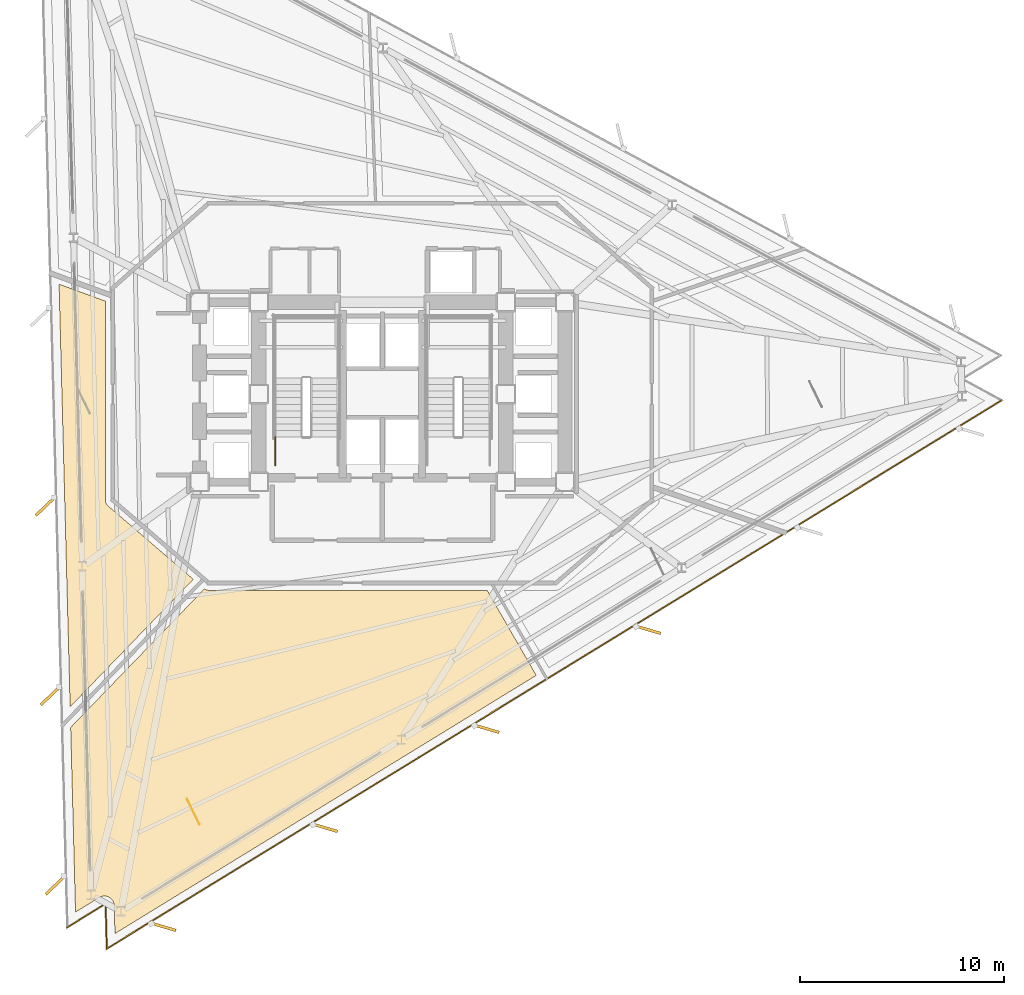
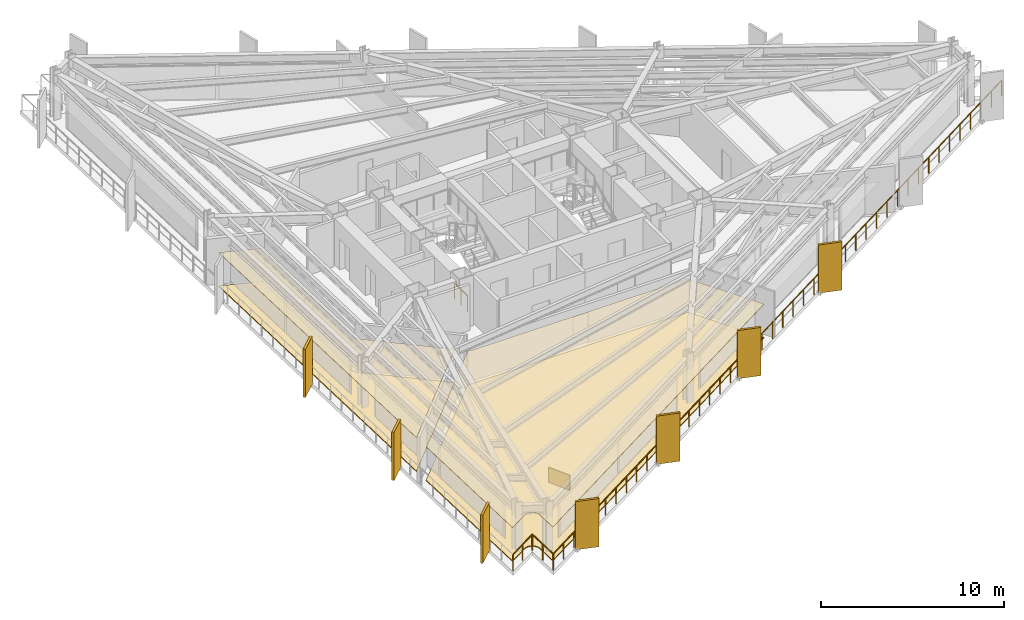
# One storey, part 10 of 14: 7 shading devices, 5 coverings, 2 railings.
"""IFC4 building model written with IfcOpenShell, lengths in metres."""

import ifcopenshell
import ifcopenshell.guid

model = None  # the IFC model being written
_history = None  # IfcOwnerHistory: only IFC2X3 demands one
_inside = {}  # id of a spatial element -> (the spatial element, [elements in it])
_under = {}  # id of a project, library or spatial element -> (it, [spatial elements below it])
_declared = {}  # id of a project -> (the project, [libraries it declares])
_typed = {}  # id of a type object -> (the type object, [elements of that type])
_made_of = {}  # id of a material, layer set ... -> (it, [elements and type objects made of it])


def new_model(schema):
    """Start an empty IFC model of exactly this schema.

    Asked for "IFC4X3", IfcOpenShell would pick the latest addendum, in which some entities
    have other attributes; the version numbers below select the first issue.
    IFC2X3 requires an IfcOwnerHistory on every rooted entity: one is made here for all.
    """
    global model, _history
    if schema == "IFC4X3":
        model = ifcopenshell.file(schema_version=(4, 3, 0, 0))
    else:
        model = ifcopenshell.file(schema=schema)
    _inside.clear()
    _under.clear()
    _declared.clear()
    _typed.clear()
    _made_of.clear()
    _history = None
    if model.schema == "IFC2X3":
        org = make("IfcOrganization", Name="unknown")
        user = make(
            "IfcPersonAndOrganization",
            ThePerson=make("IfcPerson", FamilyName="unknown"),
            TheOrganization=org,
        )
        app = make(
            "IfcApplication",
            ApplicationDeveloper=org,
            Version="unknown",
            ApplicationFullName="unknown",
            ApplicationIdentifier="unknown",
        )
        _history = make(
            "IfcOwnerHistory",
            OwningUser=user,
            OwningApplication=app,
            ChangeAction="ADDED",
            CreationDate=0,
        )
    return model


def make(cls, **values):
    """One entity of the class cls with the attributes given. An attribute that is None is left unset."""
    return model.create_entity(
        cls, **{name: value for name, value in values.items() if value is not None}
    )


def rooted(cls, **values):
    """An entity with a GlobalId (a new one), such as an element, a storey or a relation."""
    return make(cls, GlobalId=ifcopenshell.guid.new(), OwnerHistory=_history, **values)


def si_unit(unit_type, name, prefix=None):
    """IfcSIUnit, for example si_unit("LENGTHUNIT", "METRE", prefix="MILLI")."""
    return make("IfcSIUnit", UnitType=unit_type, Prefix=prefix, Name=name)


def assignment(units):
    """IfcUnitAssignment: the units of a project."""
    return None if units is None else make("IfcUnitAssignment", Units=units)


def point(xyz):
    """IfcCartesianPoint."""
    return None if xyz is None else make("IfcCartesianPoint", Coordinates=xyz)


def direction(xyz):
    """IfcDirection."""
    return None if xyz is None else make("IfcDirection", DirectionRatios=xyz)


def frame(location, z_axis=None, x_axis=None):
    """IfcAxis2Placement3D, a coordinate frame: its origin and axes. An axis left out is left unset."""
    return make(
        "IfcAxis2Placement3D",
        Location=point(location),
        Axis=direction(z_axis),
        RefDirection=direction(x_axis),
    )


def frame_2d(location, x_axis=None):
    """IfcAxis2Placement2D, a coordinate frame in the plane: its origin and x axis."""
    return make(
        "IfcAxis2Placement2D", Location=point(location), RefDirection=direction(x_axis)
    )


def origin():
    """The frame at (0, 0, 0) with its axes left unset."""
    return frame((0.0, 0.0, 0.0))


def origin_2d():
    """The frame at (0, 0) in the plane with its x axis left unset."""
    return frame_2d((0.0, 0.0))


def place(relative_to, where):
    """IfcLocalPlacement: puts the frame where relative to a parent placement (None: the world)."""
    return make(
        "IfcLocalPlacement", PlacementRelTo=relative_to, RelativePlacement=where
    )


def context(
    kind, dimensions, precision=None, world=None, true_north=None, identifier=None
):
    """IfcGeometricRepresentationContext, for example the 3D "Model" context."""
    return make(
        "IfcGeometricRepresentationContext",
        ContextIdentifier=identifier,
        ContextType=kind,
        CoordinateSpaceDimension=dimensions,
        Precision=precision,
        WorldCoordinateSystem=world,
        TrueNorth=true_north,
    )


def subcontext(parent, identifier, kind, view, scale=None):
    """IfcGeometricRepresentationSubContext, for example "Body" below "Model"."""
    return make(
        "IfcGeometricRepresentationSubContext",
        ContextIdentifier=identifier,
        ContextType=kind,
        ParentContext=parent,
        TargetScale=scale,
        TargetView=view,
    )


def project(units=None, contexts=None):
    """IfcProject with its units and contexts."""
    return rooted(
        "IfcProject",
        Name="project",
        RepresentationContexts=contexts,
        UnitsInContext=assignment(units),
    )


def spatial(cls, under=None, at=None, **own):
    """A site, building, storey or space (cls), placed at a placement, below another one or the project."""
    s = rooted(cls, ObjectPlacement=at, **own)
    if under is not None:
        _under.setdefault(under.id(), (under, []))[1].append(s)
    return s


def polyline(points):
    """IfcPolyline through the points."""
    return make("IfcPolyline", Points=[point(p) for p in points])


def profile(cls, at=None, kind="AREA", **sizes):
    """A parametric profile (cls). Its sizes go by their IFC names, for example OverallWidth=200.0."""
    return make(cls, ProfileType=kind, Position=at, **sizes)


def rectangle(**sizes):
    """IfcRectangleProfileDef."""
    return profile("IfcRectangleProfileDef", **sizes)


def outline(outer, holes=None, kind="AREA"):
    """IfcArbitraryClosedProfileDef: a profile drawn as a closed curve; with holes, ...WithVoids."""
    if holes is None:
        return make("IfcArbitraryClosedProfileDef", ProfileType=kind, OuterCurve=outer)
    return make(
        "IfcArbitraryProfileDefWithVoids",
        ProfileType=kind,
        OuterCurve=outer,
        InnerCurves=holes,
    )


def extrude(swept, where, along, depth):
    """IfcExtrudedAreaSolid: the profile swept, set in the frame where, extruded along a direction by depth."""
    return make(
        "IfcExtrudedAreaSolid",
        SweptArea=swept,
        Position=where,
        ExtrudedDirection=direction(along),
        Depth=depth,
    )


def shape(context_of_items, identifier, shape_type, items):
    """IfcShapeRepresentation: the items that make up one representation, for example the "Body"."""
    return make(
        "IfcShapeRepresentation",
        ContextOfItems=context_of_items,
        RepresentationIdentifier=identifier,
        RepresentationType=shape_type,
        Items=items,
    )


def material(Name=None, Category=None):
    """IfcMaterial."""
    return make("IfcMaterial", Name=Name, Category=Category)


def layer(
    of_material, thickness, ventilated=None, Name=None, Category=None, Priority=None
):
    """IfcMaterialLayer: one layer of a wall or slab, of a material (None: an air gap)."""
    return make(
        "IfcMaterialLayer",
        Material=of_material,
        LayerThickness=thickness,
        IsVentilated=ventilated,
        Name=Name,
        Category=Category,
        Priority=Priority,
    )


def layer_set(layers, Name=None):
    """IfcMaterialLayerSet."""
    return make("IfcMaterialLayerSet", MaterialLayers=layers, LayerSetName=Name)


def made_of(thing, what):
    """Note that an element or type object is made of a material, layer set ...; save() writes the relation."""
    if what is not None:
        _made_of.setdefault(what.id(), (what, []))[1].append(thing)
    return thing


def type_object(cls, material=None, **own):
    """A type object (cls), such as IfcWallType, which elements share."""
    return made_of(rooted(cls, **own), material)


def element(
    cls,
    number,
    at=None,
    inside=None,
    cuts=None,
    type_object=None,
    material=None,
    context=None,
    identifier="Body",
    shape_type=None,
    held_by="IfcProductDefinitionShape",
    body=None,
    shapes=None,
    **own,
):
    """One element of the class cls, such as IfcWall. Its Tag is "e" and its number.

    at: its placement. inside: the storey or other place that contains it. cuts: it is an
    opening in that element (IfcRelVoidsElement). A single representation is given by context,
    identifier, shape_type and body (its items); several are given by shapes. held_by: the class
    of the entity that holds the representations. save() writes the other relations.
    """
    e = rooted(cls, Tag="e%d" % number, ObjectPlacement=at, **own)
    if body is not None:
        shapes = [shape(context, identifier, shape_type, body)]
    if shapes is not None:
        e.Representation = make(held_by, Representations=shapes)
    if inside is not None:
        _inside.setdefault(inside.id(), (inside, []))[1].append(e)
    if cuts is not None:
        rooted(
            "IfcRelVoidsElement", RelatingBuildingElement=cuts, RelatedOpeningElement=e
        )
    if type_object is not None:
        _typed.setdefault(type_object.id(), (type_object, []))[1].append(e)
    return made_of(e, material)


def aggregate(whole, parts):
    """IfcRelAggregates: a whole, such as a stair, and the parts it consists of."""
    return rooted("IfcRelAggregates", RelatingObject=whole, RelatedObjects=parts)


def save(model, path):
    """Write the relations noted so far, then the file.

    IfcRelAggregates (storeys below a building ...), IfcRelContainedInSpatialStructure (elements
    in a storey), IfcRelDefinesByType, IfcRelAssociatesMaterial and IfcRelDeclares: one each for
    every whole, place, type object, material and project.
    """
    for whole, parts in _under.values():
        aggregate(whole, parts)
    for where, things in _inside.values():
        rooted(
            "IfcRelContainedInSpatialStructure",
            RelatedElements=things,
            RelatingStructure=where,
        )
    for kind, things in _typed.values():
        rooted("IfcRelDefinesByType", RelatedObjects=things, RelatingType=kind)
    for what, things in _made_of.values():
        rooted("IfcRelAssociatesMaterial", RelatedObjects=things, RelatingMaterial=what)
    for by, libraries in _declared.values():
        rooted("IfcRelDeclares", RelatingContext=by, RelatedDefinitions=libraries)
    model.write(path)


model = new_model("IFC4")

# Units and contexts
model_context = context("Model", 3, precision=1e-05, world=origin(), true_north=direction((0.0, 1.0)))
body_context = subcontext(model_context, "Body", "Model", "MODEL_VIEW")
ifc_project = project(units=[si_unit("LENGTHUNIT", "METRE"), si_unit("AREAUNIT", "SQUARE_METRE"), si_unit("VOLUMEUNIT", "CUBIC_METRE"), si_unit("PLANEANGLEUNIT", "RADIAN"), si_unit("MASSUNIT", "GRAM", prefix="KILO")], contexts=[model_context])

# Site, building, storey
site_placement = place(None, origin())
site = spatial("IfcSite", under=ifc_project, at=site_placement, CompositionType="ELEMENT")
building_placement = place(site_placement, origin())
building = spatial("IfcBuilding", under=site, at=building_placement, Name="Rocaltana Carrier Exchange", CompositionType="ELEMENT")
storey_placement = place(building_placement, frame((0.0, 0.0, 39.0400390625)))
storey = spatial("IfcBuildingStorey", under=building, at=storey_placement, Name="L12", CompositionType="ELEMENT", Elevation=39.0400390625)

# Coverings
ifc_material_1 = material(Name="Calcium Sulphate & Aluminium Pedestal", Category="aluminium")
ifc_layer_1 = layer(ifc_material_1, 0.06005859375)
ifc_layer_set_1 = layer_set([ifc_layer_1], Name="Calcium Sulphate & Aluminium Pedestal")
covering_type_1 = type_object("IfcCoveringType", Name="Anti-Static Raised Exchange Access Floor 60", PredefinedType="FLOORING", material=ifc_layer_set_1)
covering_1_placement = place(storey_placement, origin())
element("IfcCovering", 1, at=covering_1_placement, inside=storey, type_object=covering_type_1, Name="L12 Quiet Focus Lounge Finish Floor", PredefinedType="FLOORING", context=body_context, shape_type="SweptSolid", body=[
    extrude(outline(polyline([(-15.83203125, 5.37939453125), (-13.56005859375, 4.55224609375), (-13.56005859375, -5.199951171875), (-13.559814453125, -5.21337890625), (-13.559326171875, -5.220947265625), (-13.556884765625, -5.24755859375), (-13.5556640625, -5.255126953125), (-13.550537109375, -5.281494140625), (-13.548828125, -5.288818359375), (-13.541259765625, -5.314453125), (-13.538818359375, -5.32177734375), (-13.52880859375, -5.346435546875), (-13.525634765625, -5.353515625), (-13.51318359375, -5.377197265625), (-13.509521484375, -5.3837890625), (-13.4951171875, -5.40625), (-13.490478515625, -5.41259765625), (-13.47412109375, -5.433349609375), (-13.468994140625, -5.439208984375), (-13.450439453125, -5.45849609375), (-13.44482421875, -5.4638671875), (-13.43505859375, -5.47265625), (-9.259765625, -9.070556640625), (-15.2900390625, -15.315185546875), (-15.83203125, 5.37939453125)])), origin(), (0.0, 0.0, 1.0), 0.06005859375),
])
covering_2_placement = place(storey_placement, origin())
element("IfcCovering", 2, at=covering_2_placement, inside=storey, type_object=covering_type_1, Name="L12 Quiet Focus Lounge Finish Floor", PredefinedType="FLOORING", context=body_context, shape_type="SweptSolid", body=[
    extrude(outline(polyline([(-13.12939453125, -25.05224609375), (-13.1298828125, -25.038330078125), (-13.131591796875, -25.018310546875), (-13.135009765625, -24.99072265625), (-13.138427734375, -24.97119140625), (-13.144775390625, -24.94384765625), (-13.150146484375, -24.9248046875), (-13.1591796875, -24.898193359375), (-13.16650390625, -24.879638671875), (-13.177978515625, -24.854248046875), (-13.18701171875, -24.83642578125), (-13.200927734375, -24.8125), (-13.2119140625, -24.795654296875), (-13.228271484375, -24.77294921875), (-13.240478515625, -24.75732421875), (-13.259033203125, -24.736572265625), (-13.273193359375, -24.722412109375), (-13.29345703125, -24.703369140625), (-13.308837890625, -24.6904296875), (-13.3310546875, -24.673583984375), (-13.34765625, -24.66259765625), (-13.371337890625, -24.64794921875), (-13.388916015625, -24.638427734375), (-13.4140625, -24.626220703125), (-13.4326171875, -24.61865234375), (-13.458740234375, -24.609130859375), (-13.477783203125, -24.603271484375), (-13.5048828125, -24.596435546875), (-13.5244140625, -24.592529296875), (-13.552001953125, -24.58837890625), (-13.57177734375, -24.58642578125), (-13.599609375, -24.5849609375), (-13.61962890625, -24.585205078125), (-13.6474609375, -24.58642578125), (-13.66748046875, -24.58837890625), (-13.695068359375, -24.5927734375), (-13.714599609375, -24.5966796875), (-13.74169921875, -24.603515625), (-13.760498046875, -24.609619140625), (-13.786865234375, -24.619140625), (-13.80517578125, -24.626708984375), (-13.830322265625, -24.638916015625), (-13.847900390625, -24.6484375), (-13.85986328125, -24.655517578125), (-15.02685546875, -25.37060546875), (-15.263671875, -16.32421875), (-8.71240234375, -9.540283203125), (-8.6943359375, -9.552978515625), (-8.6875, -9.557373046875), (-8.66259765625, -9.571044921875), (-8.6552734375, -9.57470703125), (-8.629150390625, -9.5859375), (-8.62158203125, -9.5888671875), (-8.594482421875, -9.597412109375), (-8.58642578125, -9.599365234375), (-8.55859375, -9.60498046875), (-8.550537109375, -9.606201171875), (-8.522216796875, -9.609130859375), (-8.51416015625, -9.609619140625), (-8.5, -9.610107421875), (5.132568359375, -9.610107421875), (7.53857421875, -13.777099609375), (-13.093505859375, -26.42041015625), (-13.12939453125, -25.05224609375)])), origin(), (0.0, 0.0, 1.0), 0.06005859375),
])
ifc_material_2 = material(Name="Mineral Fibre & Powder-Coated Aluminium", Category="aluminium")
ifc_layer_2 = layer(ifc_material_2, 0.044921875)
ifc_layer_set_2 = layer_set([ifc_layer_2], Name="Mineral Fibre & Powder-Coated Aluminium")
covering_type_2 = type_object("IfcCoveringType", Name="Micro-Perforated Acoustic Ceiling 45", PredefinedType="CEILING", material=ifc_layer_set_2)
covering_3_placement = place(storey_placement, frame((0.0, 0.0, 2.242919921875)))
element("IfcCovering", 3, at=covering_3_placement, inside=storey, type_object=covering_type_2, Name="L12 Quiet Focus Lounge Acoustic Ceiling", PredefinedType="CEILING", context=body_context, shape_type="SweptSolid", body=[
    extrude(outline(polyline([(-15.83203125, 5.37939453125), (-13.56005859375, 4.55224609375), (-13.56005859375, -5.199951171875), (-13.559814453125, -5.21337890625), (-13.559326171875, -5.220947265625), (-13.556884765625, -5.24755859375), (-13.5556640625, -5.255126953125), (-13.550537109375, -5.281494140625), (-13.548828125, -5.288818359375), (-13.541259765625, -5.314453125), (-13.538818359375, -5.32177734375), (-13.52880859375, -5.346435546875), (-13.525634765625, -5.353515625), (-13.51318359375, -5.377197265625), (-13.509521484375, -5.3837890625), (-13.4951171875, -5.40625), (-13.490478515625, -5.41259765625), (-13.47412109375, -5.433349609375), (-13.468994140625, -5.439208984375), (-13.450439453125, -5.45849609375), (-13.44482421875, -5.4638671875), (-13.43505859375, -5.47265625), (-9.259765625, -9.070556640625), (-15.2900390625, -15.315185546875), (-15.83203125, 5.37939453125)])), origin(), (0.0, 0.0, 1.0), 0.044921875),
])
covering_4_placement = place(storey_placement, frame((0.0, 0.0, 2.242919921875)))
element("IfcCovering", 4, at=covering_4_placement, inside=storey, type_object=covering_type_2, Name="L12 Quiet Focus Lounge Acoustic Ceiling", PredefinedType="CEILING", context=body_context, shape_type="SweptSolid", body=[
    extrude(outline(polyline([(-13.12939453125, -25.05224609375), (-13.1298828125, -25.038330078125), (-13.131591796875, -25.018310546875), (-13.135009765625, -24.99072265625), (-13.138427734375, -24.97119140625), (-13.144775390625, -24.94384765625), (-13.150146484375, -24.9248046875), (-13.1591796875, -24.898193359375), (-13.16650390625, -24.879638671875), (-13.177978515625, -24.854248046875), (-13.18701171875, -24.83642578125), (-13.200927734375, -24.8125), (-13.2119140625, -24.795654296875), (-13.228271484375, -24.77294921875), (-13.240478515625, -24.75732421875), (-13.259033203125, -24.736572265625), (-13.273193359375, -24.722412109375), (-13.29345703125, -24.703369140625), (-13.308837890625, -24.6904296875), (-13.3310546875, -24.673583984375), (-13.34765625, -24.66259765625), (-13.371337890625, -24.64794921875), (-13.388916015625, -24.638427734375), (-13.4140625, -24.626220703125), (-13.4326171875, -24.61865234375), (-13.458740234375, -24.609130859375), (-13.477783203125, -24.603271484375), (-13.5048828125, -24.596435546875), (-13.5244140625, -24.592529296875), (-13.552001953125, -24.58837890625), (-13.57177734375, -24.58642578125), (-13.599609375, -24.5849609375), (-13.61962890625, -24.585205078125), (-13.6474609375, -24.58642578125), (-13.66748046875, -24.58837890625), (-13.695068359375, -24.5927734375), (-13.714599609375, -24.5966796875), (-13.74169921875, -24.603515625), (-13.760498046875, -24.609619140625), (-13.786865234375, -24.619140625), (-13.80517578125, -24.626708984375), (-13.830322265625, -24.638916015625), (-13.847900390625, -24.6484375), (-13.85986328125, -24.655517578125), (-15.02685546875, -25.37060546875), (-15.263671875, -16.32421875), (-8.71240234375, -9.540283203125), (-8.6943359375, -9.552978515625), (-8.6875, -9.557373046875), (-8.66259765625, -9.571044921875), (-8.6552734375, -9.57470703125), (-8.629150390625, -9.5859375), (-8.62158203125, -9.5888671875), (-8.594482421875, -9.597412109375), (-8.58642578125, -9.599365234375), (-8.55859375, -9.60498046875), (-8.550537109375, -9.606201171875), (-8.522216796875, -9.609130859375), (-8.51416015625, -9.609619140625), (-8.5, -9.610107421875), (5.132568359375, -9.610107421875), (7.53857421875, -13.777099609375), (-13.093505859375, -26.42041015625), (-13.12939453125, -25.05224609375)])), origin(), (0.0, 0.0, 1.0), 0.044921875),
])

# Railing
ifc_material_3 = material(Name="Powder-Coated Aluminium 6063-T6", Category="aluminium")
ifc_layer_3 = layer(ifc_material_3, 0.048095703125)
ifc_layer_set_3 = layer_set([ifc_layer_3], Name="Powder-Coated Aluminium 6063-T6")
railing_type_1 = type_object("IfcRailingType", Name="Stair Well Guardrail 1100", PredefinedType="GUARDRAIL", material=ifc_layer_set_3)
railing_1_placement = place(storey_placement, frame((-5.25, -3.5, 0.0)))
element("IfcRailing", 5, at=railing_1_placement, inside=storey, type_object=railing_type_1, Name="L12 ST-1 stair guard 9", PredefinedType="GUARDRAIL", context=body_context, shape_type="SweptSolid", body=[
    extrude(rectangle(XDim=0.048095703125, YDim=0.048095703125, at=origin_2d()), frame((0.0, 0.0, 1.076171875), z_axis=(0.0, 1.0, 0.0), x_axis=(-1.0, 0.0, 0.0)), (0.0, 0.0, 1.0), 1.39990234375),
    extrude(rectangle(XDim=0.0419921875, YDim=0.0419921875, at=origin_2d()), origin(), (0.0, 0.0, 1.0), 1.052001953125),
    extrude(rectangle(XDim=0.0419921875, YDim=0.0419921875, at=origin_2d()), frame((0.0, 0.699951171875, 0.0)), (0.0, 0.0, 1.0), 1.052001953125),
    extrude(rectangle(XDim=0.0419921875, YDim=0.0419921875, at=origin_2d()), frame((0.0, 1.39990234375, 0.0)), (0.0, 0.0, 1.0), 1.052001953125),
])

# Covering
ifc_material_4 = material(Name="Honed Piedra Muneca Sandstone", Category="masonry")
ifc_layer_4 = layer(ifc_material_4, 0.034912109375)
ifc_layer_set_4 = layer_set([ifc_layer_4], Name="Honed Piedra Muneca Sandstone")
covering_type_3 = type_object("IfcCoveringType", Name="Stone Facade Cladding 35", PredefinedType="CLADDING", material=ifc_layer_set_4)
covering_5_placement = place(storey_placement, frame((-9.2568359375, -20.45458984375, 0.0), z_axis=(0.0, 0.0, 1.0), x_axis=(-0.438371146789, 0.898794046299, 0.0)))
element("IfcCovering", 6, at=covering_5_placement, inside=storey, type_object=covering_type_3, Name="L12 Stone Facade Cladding Panel 2", PredefinedType="CLADDING", context=body_context, shape_type="SweptSolid", body=[
    extrude(rectangle(XDim=1.39990234375, YDim=0.034912109375, at=origin_2d()), origin(), (0.0, 0.0, 1.0), 1.050048828125),
])

# Shading devices
ifc_material_5 = material(Name="Honed Bogota Sandstone & Concrete C45/55", Category="masonry")
ifc_layer_5 = layer(ifc_material_5, 0.139892578125)
ifc_layer_set_5 = layer_set([ifc_layer_5], Name="Honed Bogota Sandstone & Concrete C45/55")
shading_device_type = type_object("IfcShadingDeviceType", Name="Vertical Sandstone Shading Fin 1320x140", PredefinedType="USERDEFINED", material=ifc_layer_set_5)
for number, where, z_axis, x_axis, name in (
    (7, (-16.488525390625, -5.48828125, -0.1201171875), (0.0, 0.0, 1.0), (-0.725374371012, -0.688354575694, 0.0), "L12 Sandstone Vertical Fin F2-04"),
    (8, (-16.24560546875, -14.76513671875, -0.1201171875), (0.0, 0.0, 1.0), (-0.725374371012, -0.688354575694, 0.0), "L12 Sandstone Vertical Fin F2-05"),
    (9, (-16.002685546875, -24.0419921875, -0.1201171875), (0.0, 0.0, 1.0), (-0.725374371012, -0.688354575694, 0.0), "L12 Sandstone Vertical Fin F2-06"),
    (10, (-10.740234375, -26.081787109375, -0.1201171875), (0.0, 0.0, 1.0), (0.958819734868, -0.284015344704, 0.0), "L12 Sandstone Vertical Fin F3-01"),
    (11, (-2.82763671875, -21.23291015625, -0.1201171875), (0.0, 0.0, 1.0), (0.958819734868, -0.284015344704, 0.0), "L12 Sandstone Vertical Fin F3-02"),
    (12, (5.084716796875, -16.384033203125, -0.1201171875), (0.0, 0.0, 1.0), (0.958819734868, -0.284015344704, 0.0), "L12 Sandstone Vertical Fin F3-03"),
    (13, (12.997314453125, -11.535400390625, -0.1201171875), (0.0, 0.0, 1.0), (0.958819734868, -0.284015344704, 0.0), "L12 Sandstone Vertical Fin F3-04"),
):
    element("IfcShadingDevice", number, at=place(storey_placement, frame(where, z_axis=z_axis, x_axis=x_axis)), inside=storey, type_object=shading_device_type, Name=name, ObjectType="FIN", PredefinedType="USERDEFINED", context=body_context, shape_type="SweptSolid", body=[
        extrude(rectangle(XDim=1.320068359375, YDim=0.139892578125, at=origin_2d()), origin(), (0.0, 0.0, 1.0), 3.218017578125),
    ])

# Railing
ifc_material_6 = material(Name="Powder-Coated Aluminium 6063-T6", Category="aluminium")
ifc_layer_6 = layer(ifc_material_6, 0.06005859375)
ifc_layer_set_6 = layer_set([ifc_layer_6], Name="Powder-Coated Aluminium 6063-T6")
railing_type_2 = type_object("IfcRailingType", Name="Wind-Floor & Terrace Perimeter Guardrail 1100", PredefinedType="GUARDRAIL", material=ifc_layer_set_6)
railing_2_placement = place(storey_placement, frame((30.32470703125, -0.306396484375, 0.0)))
element("IfcRailing", 14, at=railing_2_placement, inside=storey, type_object=railing_type_2, Name="L12 Perimeter Balcony Guardrail 1", PredefinedType="GUARDRAIL", context=body_context, shape_type="SweptSolid", body=[
    extrude(rectangle(XDim=0.048095703125, YDim=0.048095703125, at=origin_2d()), frame((0.0, 0.0, 1.076171875), z_axis=(-0.852639552838, -0.522499562619, 0.0), x_axis=(0.522499562619, -0.852639552838, 0.0)), (0.0, 0.0, 1.0), 51.39208984375),
    extrude(rectangle(XDim=0.048095703125, YDim=0.048095703125, at=origin_2d()), frame((-43.81884765625, -26.852294921875, 1.076171875), z_axis=(-0.026187042546, 0.999657060598, 0.0), x_axis=(-0.999657060598, -0.026187042546, 0.0)), (0.0, 0.0, 1.0), 2.2001953125),
    extrude(rectangle(XDim=0.048095703125, YDim=0.048095703125, at=origin_2d()), frame((-43.87646484375, -24.65283203125, 1.076171875), z_axis=(-0.852598062579, -0.522567262356, 0.0), x_axis=(0.522567262356, -0.852598062579, 0.0)), (0.0, 0.0, 1.0), 2.199951171875),
    extrude(rectangle(XDim=0.0419921875, YDim=0.0419921875, at=origin_2d()), origin(), (0.0, 0.0, 1.0), 1.052001953125),
    extrude(rectangle(XDim=0.0419921875, YDim=0.0419921875, at=origin_2d()), frame((-1.01904296875, -0.62451171875, 0.0)), (0.0, 0.0, 1.0), 1.052001953125),
    extrude(rectangle(XDim=0.0419921875, YDim=0.0419921875, at=origin_2d()), frame((-2.0380859375, -1.2490234375, 0.0)), (0.0, 0.0, 1.0), 1.052001953125),
    extrude(rectangle(XDim=0.0419921875, YDim=0.0419921875, at=origin_2d()), frame((-3.05712890625, -1.87353515625, 0.0)), (0.0, 0.0, 1.0), 1.052001953125),
    extrude(rectangle(XDim=0.0419921875, YDim=0.0419921875, at=origin_2d()), frame((-4.076171875, -2.497802734375, 0.0)), (0.0, 0.0, 1.0), 1.052001953125),
    extrude(rectangle(XDim=0.0419921875, YDim=0.0419921875, at=origin_2d()), frame((-5.09521484375, -3.122314453125, 0.0)), (0.0, 0.0, 1.0), 1.052001953125),
    extrude(rectangle(XDim=0.0419921875, YDim=0.0419921875, at=origin_2d()), frame((-6.1142578125, -3.746826171875, 0.0)), (0.0, 0.0, 1.0), 1.052001953125),
    extrude(rectangle(XDim=0.0419921875, YDim=0.0419921875, at=origin_2d()), frame((-7.13330078125, -4.371337890625, 0.0)), (0.0, 0.0, 1.0), 1.052001953125),
    extrude(rectangle(XDim=0.0419921875, YDim=0.0419921875, at=origin_2d()), frame((-8.15234375, -4.995849609375, 0.0)), (0.0, 0.0, 1.0), 1.052001953125),
    extrude(rectangle(XDim=0.0419921875, YDim=0.0419921875, at=origin_2d()), frame((-9.17138671875, -5.620361328125, 0.0)), (0.0, 0.0, 1.0), 1.052001953125),
    extrude(rectangle(XDim=0.0419921875, YDim=0.0419921875, at=origin_2d()), frame((-10.1904296875, -6.24462890625, 0.0)), (0.0, 0.0, 1.0), 1.052001953125),
    extrude(rectangle(XDim=0.0419921875, YDim=0.0419921875, at=origin_2d()), frame((-11.20947265625, -6.869140625, 0.0)), (0.0, 0.0, 1.0), 1.052001953125),
    extrude(rectangle(XDim=0.0419921875, YDim=0.0419921875, at=origin_2d()), frame((-12.228515625, -7.49365234375, 0.0)), (0.0, 0.0, 1.0), 1.052001953125),
    extrude(rectangle(XDim=0.0419921875, YDim=0.0419921875, at=origin_2d()), frame((-13.24755859375, -8.1181640625, 0.0)), (0.0, 0.0, 1.0), 1.052001953125),
    extrude(rectangle(XDim=0.0419921875, YDim=0.0419921875, at=origin_2d()), frame((-14.2666015625, -8.74267578125, 0.0)), (0.0, 0.0, 1.0), 1.052001953125),
    extrude(rectangle(XDim=0.0419921875, YDim=0.0419921875, at=origin_2d()), frame((-15.28564453125, -9.3671875, 0.0)), (0.0, 0.0, 1.0), 1.052001953125),
    extrude(rectangle(XDim=0.0419921875, YDim=0.0419921875, at=origin_2d()), frame((-16.3046875, -9.991455078125, 0.0)), (0.0, 0.0, 1.0), 1.052001953125),
    extrude(rectangle(XDim=0.0419921875, YDim=0.0419921875, at=origin_2d()), frame((-17.32373046875, -10.615966796875, 0.0)), (0.0, 0.0, 1.0), 1.052001953125),
    extrude(rectangle(XDim=0.0419921875, YDim=0.0419921875, at=origin_2d()), frame((-18.3427734375, -11.240478515625, 0.0)), (0.0, 0.0, 1.0), 1.052001953125),
    extrude(rectangle(XDim=0.0419921875, YDim=0.0419921875, at=origin_2d()), frame((-19.36181640625, -11.864990234375, 0.0)), (0.0, 0.0, 1.0), 1.052001953125),
    extrude(rectangle(XDim=0.0419921875, YDim=0.0419921875, at=origin_2d()), frame((-20.380859375, -12.489501953125, 0.0)), (0.0, 0.0, 1.0), 1.052001953125),
    extrude(rectangle(XDim=0.0419921875, YDim=0.0419921875, at=origin_2d()), frame((-21.39990234375, -13.114013671875, 0.0)), (0.0, 0.0, 1.0), 1.052001953125),
    extrude(rectangle(XDim=0.0419921875, YDim=0.0419921875, at=origin_2d()), frame((-22.4189453125, -13.73828125, 0.0)), (0.0, 0.0, 1.0), 1.052001953125),
    extrude(rectangle(XDim=0.0419921875, YDim=0.0419921875, at=origin_2d()), frame((-23.43798828125, -14.36279296875, 0.0)), (0.0, 0.0, 1.0), 1.052001953125),
    extrude(rectangle(XDim=0.0419921875, YDim=0.0419921875, at=origin_2d()), frame((-24.45703125, -14.9873046875, 0.0)), (0.0, 0.0, 1.0), 1.052001953125),
    extrude(rectangle(XDim=0.0419921875, YDim=0.0419921875, at=origin_2d()), frame((-25.47607421875, -15.61181640625, 0.0)), (0.0, 0.0, 1.0), 1.052001953125),
    extrude(rectangle(XDim=0.0419921875, YDim=0.0419921875, at=origin_2d()), frame((-26.4951171875, -16.236328125, 0.0)), (0.0, 0.0, 1.0), 1.052001953125),
    extrude(rectangle(XDim=0.0419921875, YDim=0.0419921875, at=origin_2d()), frame((-27.51416015625, -16.86083984375, 0.0)), (0.0, 0.0, 1.0), 1.052001953125),
    extrude(rectangle(XDim=0.0419921875, YDim=0.0419921875, at=origin_2d()), frame((-28.533203125, -17.485107421875, 0.0)), (0.0, 0.0, 1.0), 1.052001953125),
    extrude(rectangle(XDim=0.0419921875, YDim=0.0419921875, at=origin_2d()), frame((-29.55224609375, -18.109619140625, 0.0)), (0.0, 0.0, 1.0), 1.052001953125),
    extrude(rectangle(XDim=0.0419921875, YDim=0.0419921875, at=origin_2d()), frame((-30.5712890625, -18.734130859375, 0.0)), (0.0, 0.0, 1.0), 1.052001953125),
    extrude(rectangle(XDim=0.0419921875, YDim=0.0419921875, at=origin_2d()), frame((-31.59033203125, -19.358642578125, 0.0)), (0.0, 0.0, 1.0), 1.052001953125),
    extrude(rectangle(XDim=0.0419921875, YDim=0.0419921875, at=origin_2d()), frame((-32.609375, -19.983154296875, 0.0)), (0.0, 0.0, 1.0), 1.052001953125),
    extrude(rectangle(XDim=0.0419921875, YDim=0.0419921875, at=origin_2d()), frame((-33.62841796875, -20.607666015625, 0.0)), (0.0, 0.0, 1.0), 1.052001953125),
    extrude(rectangle(XDim=0.0419921875, YDim=0.0419921875, at=origin_2d()), frame((-34.6474609375, -21.23193359375, 0.0)), (0.0, 0.0, 1.0), 1.052001953125),
    extrude(rectangle(XDim=0.0419921875, YDim=0.0419921875, at=origin_2d()), frame((-35.66650390625, -21.8564453125, 0.0)), (0.0, 0.0, 1.0), 1.052001953125),
    extrude(rectangle(XDim=0.0419921875, YDim=0.0419921875, at=origin_2d()), frame((-36.685546875, -22.48095703125, 0.0)), (0.0, 0.0, 1.0), 1.052001953125),
    extrude(rectangle(XDim=0.0419921875, YDim=0.0419921875, at=origin_2d()), frame((-37.70458984375, -23.10546875, 0.0)), (0.0, 0.0, 1.0), 1.052001953125),
    extrude(rectangle(XDim=0.0419921875, YDim=0.0419921875, at=origin_2d()), frame((-38.7236328125, -23.72998046875, 0.0)), (0.0, 0.0, 1.0), 1.052001953125),
    extrude(rectangle(XDim=0.0419921875, YDim=0.0419921875, at=origin_2d()), frame((-39.74267578125, -24.3544921875, 0.0)), (0.0, 0.0, 1.0), 1.052001953125),
    extrude(rectangle(XDim=0.0419921875, YDim=0.0419921875, at=origin_2d()), frame((-40.76171875, -24.978759765625, 0.0)), (0.0, 0.0, 1.0), 1.052001953125),
    extrude(rectangle(XDim=0.0419921875, YDim=0.0419921875, at=origin_2d()), frame((-41.78076171875, -25.603271484375, 0.0)), (0.0, 0.0, 1.0), 1.052001953125),
    extrude(rectangle(XDim=0.0419921875, YDim=0.0419921875, at=origin_2d()), frame((-42.7998046875, -26.227783203125, 0.0)), (0.0, 0.0, 1.0), 1.052001953125),
    extrude(rectangle(XDim=0.0419921875, YDim=0.0419921875, at=origin_2d()), frame((-43.81884765625, -26.852294921875, 0.0)), (0.0, 0.0, 1.0), 1.052001953125),
    extrude(rectangle(XDim=0.0419921875, YDim=0.0419921875, at=origin_2d()), frame((-43.84765625, -25.75244140625, 0.0)), (0.0, 0.0, 1.0), 1.052001953125),
    extrude(rectangle(XDim=0.0419921875, YDim=0.0419921875, at=origin_2d()), frame((-43.87646484375, -24.65283203125, 0.0)), (0.0, 0.0, 1.0), 1.052001953125),
    extrude(rectangle(XDim=0.0419921875, YDim=0.0419921875, at=origin_2d()), frame((-44.814453125, -25.2275390625, 0.0)), (0.0, 0.0, 1.0), 1.052001953125),
    extrude(rectangle(XDim=0.0419921875, YDim=0.0419921875, at=origin_2d()), frame((-45.752197265625, -25.802490234375, 0.0)), (0.0, 0.0, 1.0), 1.052001953125),
])

save(model, "model.ifc")
